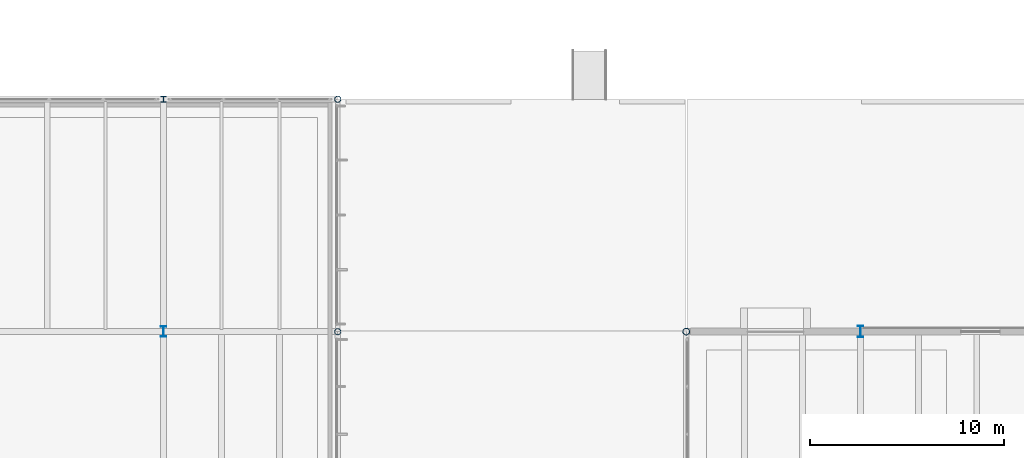
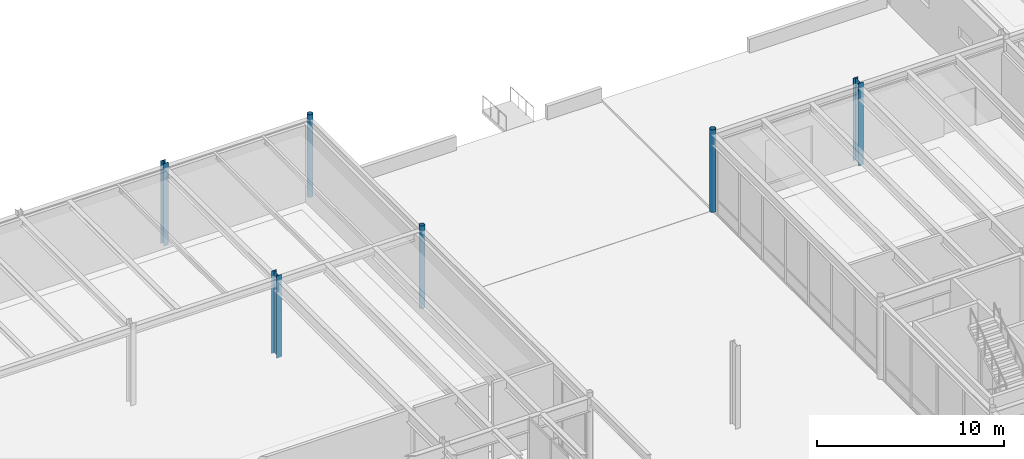
# One storey, part 14 of 143: 6 columns.
"""IFC4 building model written with IfcOpenShell, lengths in metres."""

from ifc_helpers import new_model, si_unit, direction, frame, origin, origin_2d, place, context, subcontext, project, spatial, hollow_circle, i_section, extrude, material, material_profile, profile_set, type_object, element, save


model = new_model("IFC4")

# Units and contexts
model_context = context("Model", 3, precision=1e-05, world=origin(), true_north=direction((0.0, 1.0)))
body_context = subcontext(model_context, "Body", "Model", "MODEL_VIEW")
ifc_project = project(units=[si_unit("LENGTHUNIT", "METRE"), si_unit("AREAUNIT", "SQUARE_METRE"), si_unit("VOLUMEUNIT", "CUBIC_METRE"), si_unit("PLANEANGLEUNIT", "RADIAN"), si_unit("MASSUNIT", "GRAM", prefix="KILO")], contexts=[model_context])

# Site, building, storey
site_placement = place(None, origin())
site = spatial("IfcSite", under=ifc_project, at=site_placement, CompositionType="ELEMENT")
building_placement = place(site_placement, origin())
building = spatial("IfcBuilding", under=site, at=building_placement, Name="Montelvaro Courts of Justice", CompositionType="ELEMENT")
storey_placement = place(building_placement, origin())
storey = spatial("IfcBuildingStorey", under=building, at=storey_placement, Name="L00", CompositionType="ELEMENT", Elevation=0.0)

# Columns
ifc_material = material(Name="Steel S355", Category="steel")
ifc_material_profile_1 = material_profile(ifc_material, hollow_circle(Radius=0.161865234375, WallThickness=0.012451171875, at=origin_2d()), Name="CHS 323.9x12.5")
ifc_profile_set_1 = profile_set([ifc_material_profile_1], Name="Steel S355")
column_type_1 = type_object("IfcColumnType", Name="Col_CHS324", PredefinedType="PILASTER", material=ifc_profile_set_1)
for number, where, z_axis, x_axis, name in (
    (1, (81.0, 96.0, 0.0), (0.0, 0.0, 1.0), (1.0, 0.0, 0.0), "Column C-18 L00 10/H"),
    (2, (81.0, 108.0, 0.0), (0.0, 0.0, 1.0), (1.0, 0.0, 0.0), "Column C-18 L00 10/I"),
):
    element("IfcColumn", number, at=place(storey_placement, frame(where, z_axis=z_axis, x_axis=x_axis)), inside=storey, type_object=column_type_1, Name=name, PredefinedType="PILASTER", context=body_context, shape_type="SweptSolid", body=[
        extrude(hollow_circle(Radius=0.161865234375, WallThickness=0.012451171875, at=origin_2d()), origin(), (0.0, 0.0, 1.0), 5.39990234375),
    ])
ifc_material_profile_2 = material_profile(ifc_material, hollow_circle(Radius=0.177734375, WallThickness=0.01611328125, at=origin_2d()), Name="CHS 355.6x16")
ifc_profile_set_2 = profile_set([ifc_material_profile_2], Name="Steel S355")
column_type_2 = type_object("IfcColumnType", Name="Col_CHS356", PredefinedType="PILASTER", material=ifc_profile_set_2)
column_1_placement = place(storey_placement, frame((99.0, 96.0, 0.0), z_axis=(0.0, 0.0, 1.0), x_axis=(1.0, 0.0, 0.0)))
element("IfcColumn", 3, at=column_1_placement, inside=storey, type_object=column_type_2, Name="Column C-19 L00 12/H", PredefinedType="PILASTER", context=body_context, shape_type="SweptSolid", body=[
    extrude(hollow_circle(Radius=0.177734375, WallThickness=0.01611328125, at=origin_2d()), origin(), (0.0, 0.0, 1.0), 5.39990234375),
])
ifc_material_profile_3 = material_profile(ifc_material, i_section(OverallWidth=0.300048828125, OverallDepth=0.320068359375, WebThickness=0.011474609375, FlangeThickness=0.0205078125, at=origin_2d()), Name="HEB 320")
ifc_profile_set_3 = profile_set([ifc_material_profile_3], Name="Steel S355")
column_type_3 = type_object("IfcColumnType", Name="Col_HEB320", PredefinedType="COLUMN", material=ifc_profile_set_3)
column_2_placement = place(storey_placement, frame((72.0, 108.0, 0.0), z_axis=(0.0, 0.0, 1.0), x_axis=(1.0, 0.0, 0.0)))
element("IfcColumn", 4, at=column_2_placement, inside=storey, type_object=column_type_3, Name="Column C-04 L00 9/I", PredefinedType="COLUMN", context=body_context, shape_type="SweptSolid", body=[
    extrude(i_section(OverallWidth=0.300048828125, OverallDepth=0.320068359375, WebThickness=0.011474609375, FlangeThickness=0.0205078125, at=origin_2d()), origin(), (0.0, 0.0, 1.0), 5.39990234375),
])
ifc_material_profile_4 = material_profile(ifc_material, i_section(OverallWidth=0.300048828125, OverallDepth=0.550048828125, WebThickness=0.014892578125, FlangeThickness=0.029052734375, at=origin_2d()), Name="HEB 550")
ifc_profile_set_4 = profile_set([ifc_material_profile_4], Name="Steel S355")
column_type_4 = type_object("IfcColumnType", Name="Col_HEB550", PredefinedType="COLUMN", material=ifc_profile_set_4)
column_3_placement = place(storey_placement, frame((72.0, 96.0, 0.0), z_axis=(0.0, 0.0, 1.0), x_axis=(1.0, 0.0, 0.0)))
element("IfcColumn", 5, at=column_3_placement, inside=storey, type_object=column_type_4, Name="Column C-10 L00 9/H", PredefinedType="COLUMN", context=body_context, shape_type="SweptSolid", body=[
    extrude(i_section(OverallWidth=0.300048828125, OverallDepth=0.550048828125, WebThickness=0.014892578125, FlangeThickness=0.029052734375, at=origin_2d()), origin(), (0.0, 0.0, 1.0), 5.39990234375),
])
ifc_material_profile_5 = material_profile(ifc_material, i_section(OverallWidth=0.300048828125, OverallDepth=0.60009765625, WebThickness=0.015380859375, FlangeThickness=0.030029296875, at=origin_2d()), Name="HEB 600")
ifc_profile_set_5 = profile_set([ifc_material_profile_5], Name="Steel S355")
column_type_5 = type_object("IfcColumnType", Name="Col_HEB600", PredefinedType="COLUMN", material=ifc_profile_set_5)
column_4_placement = place(storey_placement, frame((108.0, 96.0, 0.0), z_axis=(0.0, 0.0, 1.0), x_axis=(1.0, 0.0, 0.0)))
element("IfcColumn", 6, at=column_4_placement, inside=storey, type_object=column_type_5, Name="Column C-11 L00 13/H", PredefinedType="COLUMN", context=body_context, shape_type="SweptSolid", body=[
    extrude(i_section(OverallWidth=0.300048828125, OverallDepth=0.60009765625, WebThickness=0.015380859375, FlangeThickness=0.030029296875, at=origin_2d()), origin(), (0.0, 0.0, 1.0), 5.39990234375),
])

save(model, "model.ifc")
